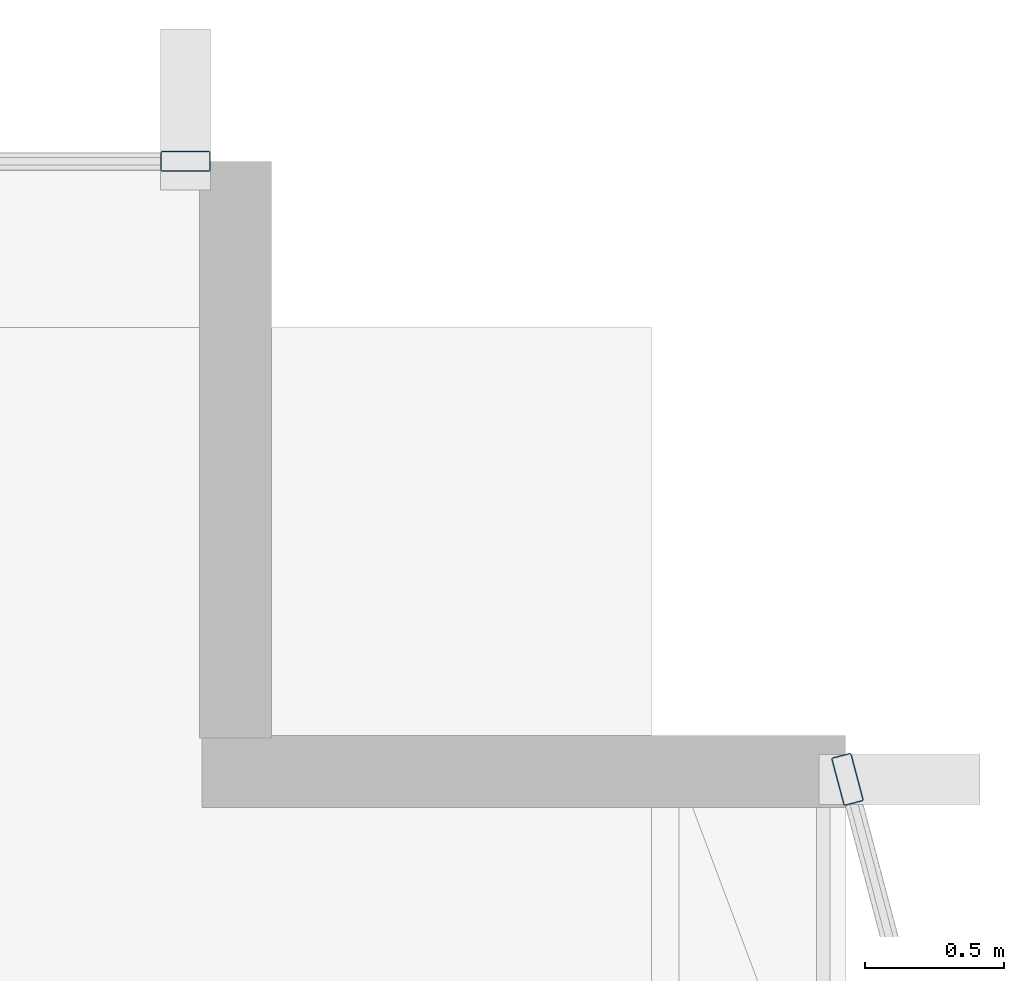
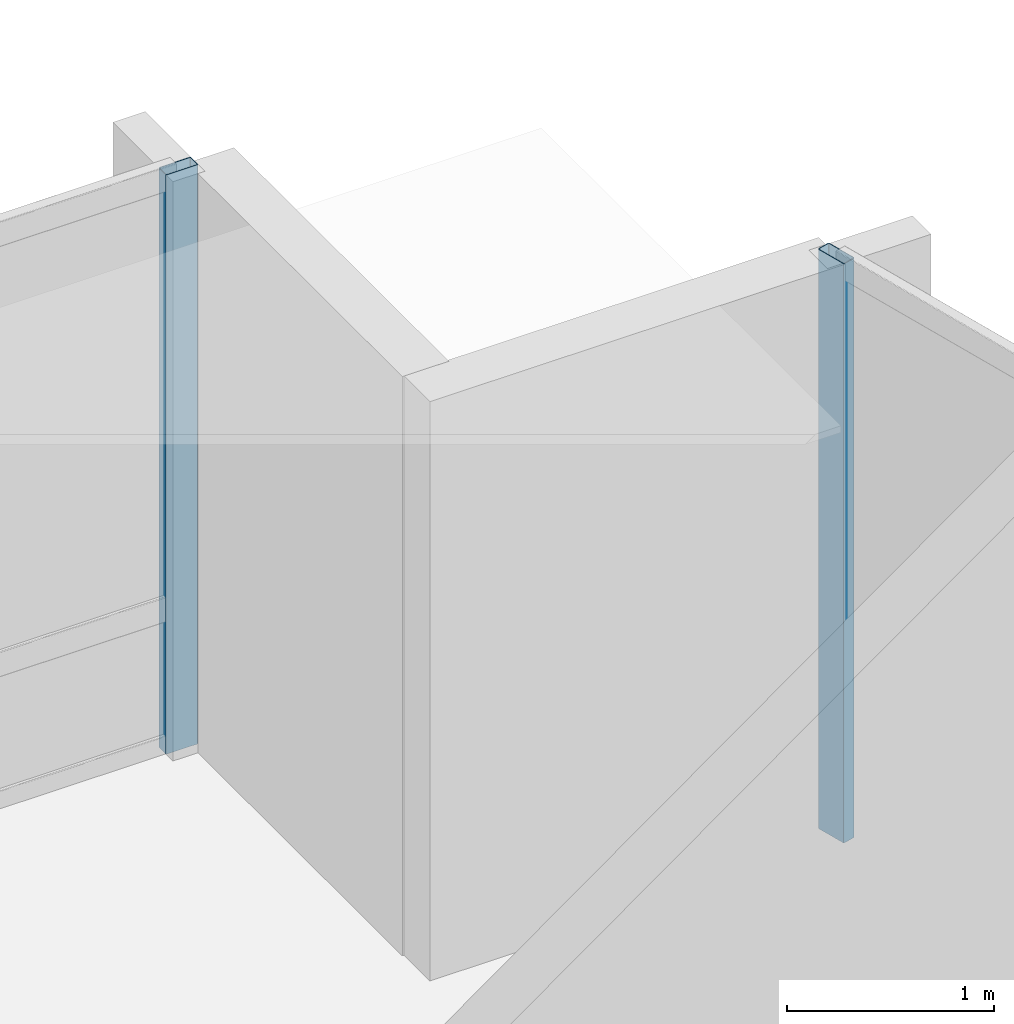
# One storey, part 14 of 28: 2 members, 2 elements without a shape of their own.
"""IFC4 building model written with IfcOpenShell, lengths in metres."""

from ifc_helpers import new_model, si_unit, direction, frame, origin, origin_2d, place, context, subcontext, project, spatial, hollow_rectangle, extrude, material, layer, layer_set, material_profile, profile_set, type_object, element, aggregate, save


model = new_model("IFC4")

# Units and contexts
model_context = context("Model", 3, precision=1e-05, world=origin(), true_north=direction((0.0, 1.0)))
body_context = subcontext(model_context, "Body", "Model", "MODEL_VIEW")
ifc_project = project(units=[si_unit("LENGTHUNIT", "METRE"), si_unit("AREAUNIT", "SQUARE_METRE"), si_unit("VOLUMEUNIT", "CUBIC_METRE"), si_unit("PLANEANGLEUNIT", "RADIAN"), si_unit("MASSUNIT", "GRAM", prefix="KILO")], contexts=[model_context])

# Site, building, storey
site_placement = place(None, origin())
site = spatial("IfcSite", under=ifc_project, at=site_placement, CompositionType="ELEMENT")
building_placement = place(site_placement, origin())
building = spatial("IfcBuilding", under=site, at=building_placement, Name="Solvaryn Broadcast Tower", CompositionType="ELEMENT")
storey_placement = place(building_placement, frame((0.0, 0.0, 209.89990234375)))
storey = spatial("IfcBuildingStorey", under=building, at=storey_placement, Name="L52", CompositionType="ELEMENT", Elevation=209.89990234375)

# Curtain wall, member
ifc_material_1 = material(Name="Aluminium and Terracotta Unitised Curtain Wall", Category="masonry")
ifc_layer = layer(ifc_material_1, 0.199951171875)
ifc_layer_set = layer_set([ifc_layer], Name="CW-SYS2-LOWMID")
curtain_wall_type = type_object("IfcCurtainWallType", Name="CW-SYS2-LOWMID", PredefinedType="NOTDEFINED", material=ifc_layer_set)
curtain_wall_1_placement = place(storey_placement, origin())
curtain_wall_1 = element("IfcCurtainWall", 1, at=curtain_wall_1_placement, inside=storey, type_object=curtain_wall_type, Name="L52 Curtain Wall ET1", PredefinedType="NOTDEFINED")
ifc_material_2 = material(Name="Anodised Aluminium 6063-T6", Category="aluminium")
ifc_material_profile = material_profile(ifc_material_2, hollow_rectangle(XDim=0.074951171875, YDim=0.179931640625, WallThickness=0.00390625, InnerFilletRadius=0.00390625, OuterFilletRadius=0.008056640625, at=origin_2d()))
ifc_profile_set = profile_set([ifc_material_profile], Name="Anodised Aluminium 6063-T6")
member_type = type_object("IfcMemberType", Name="CW-MUL-180", PredefinedType="MULLION", material=ifc_profile_set)
member_1_placement = place(storey_placement, frame((54.007568359375, 24.77099609375, 0.0), z_axis=(0.0, 0.0, 1.0), x_axis=(0.966705227863, 0.25589256031, 0.0)))
member_1 = element("IfcMember", 2, at=member_1_placement, type_object=member_type, Name="CWS2 mullion 1", PredefinedType="MULLION", context=body_context, shape_type="SweptSolid", body=[
    extrude(hollow_rectangle(XDim=0.074951171875, YDim=0.179931640625, WallThickness=0.00390625, InnerFilletRadius=0.00390625, OuterFilletRadius=0.008056640625, at=origin_2d()), origin(), (0.0, 0.0, 1.0), 3.420166015625),
])
aggregate(curtain_wall_1, [member_1])

curtain_wall_2_placement = place(storey_placement, origin())
curtain_wall_2 = element("IfcCurtainWall", 3, at=curtain_wall_2_placement, inside=storey, type_object=curtain_wall_type, Name="L52 Curtain Wall IH", PredefinedType="NOTDEFINED")
member_2_placement = place(storey_placement, frame((51.6201171875, 27.0, 0.0), z_axis=(0.0, 0.0, 1.0), x_axis=(0.0, 1.0, 0.0)))
member_2 = element("IfcMember", 4, at=member_2_placement, type_object=member_type, Name="CWS2 mullion 2", PredefinedType="MULLION", context=body_context, shape_type="SweptSolid", body=[
    extrude(hollow_rectangle(XDim=0.074951171875, YDim=0.179931640625, WallThickness=0.00390625, InnerFilletRadius=0.00390625, OuterFilletRadius=0.008056640625, at=origin_2d()), origin(), (0.0, 0.0, 1.0), 3.420166015625),
])
aggregate(curtain_wall_2, [member_2])

save(model, "model.ifc")
